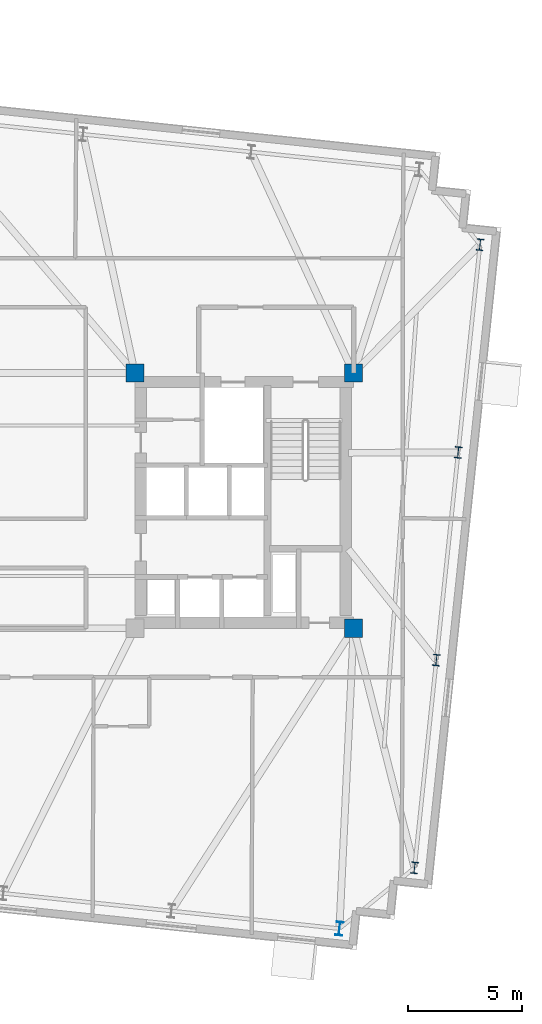
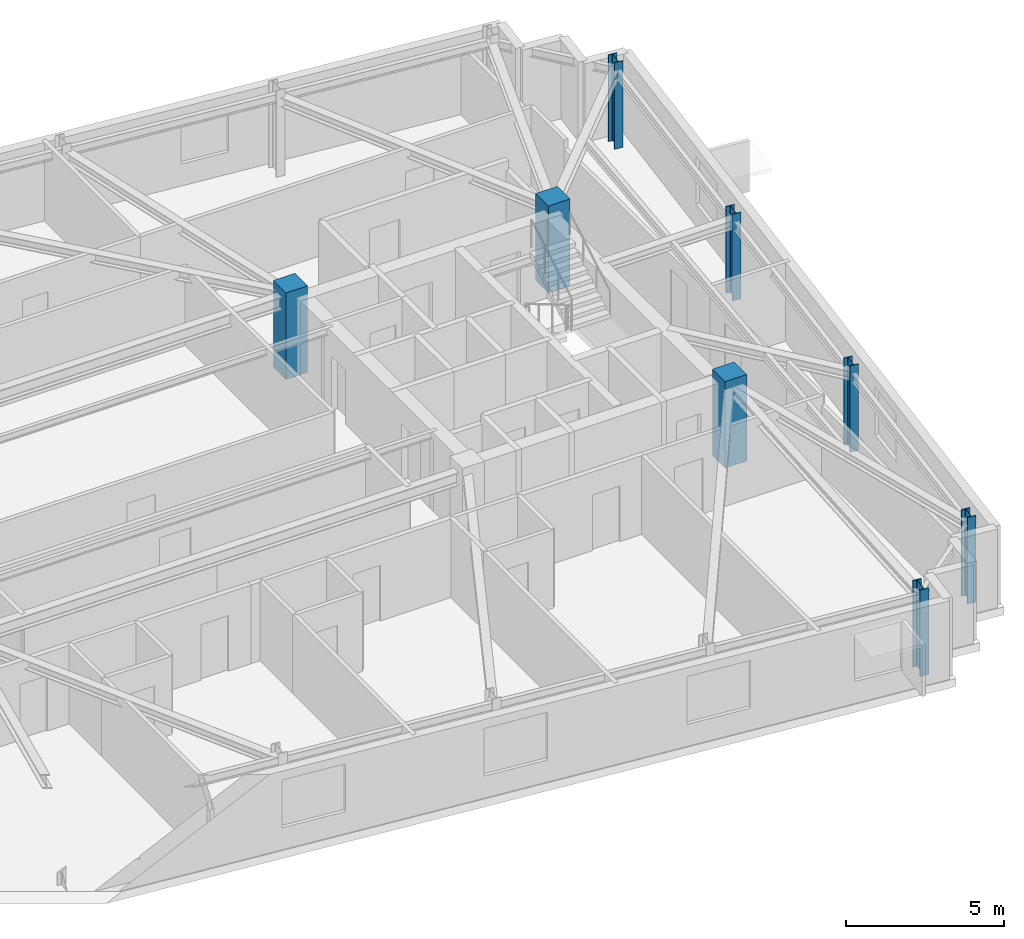
# One storey, part 2 of 11: 8 columns.
"""IFC4 building model written with IfcOpenShell, lengths in metres."""

from ifc_helpers import new_model, si_unit, direction, frame, origin, origin_2d, place, context, subcontext, project, spatial, rectangle, i_section, extrude, material, material_profile, profile_set, type_object, element, save


model = new_model("IFC4")

# Units and contexts
model_context = context("Model", 3, precision=1e-05, world=origin(), true_north=direction((0.0, 1.0)))
body_context = subcontext(model_context, "Body", "Model", "MODEL_VIEW")
ifc_project = project(units=[si_unit("LENGTHUNIT", "METRE"), si_unit("AREAUNIT", "SQUARE_METRE"), si_unit("VOLUMEUNIT", "CUBIC_METRE"), si_unit("PLANEANGLEUNIT", "RADIAN"), si_unit("MASSUNIT", "GRAM", prefix="KILO")], contexts=[model_context])

# Site, building, storey
site_placement = place(None, origin())
site = spatial("IfcSite", under=ifc_project, at=site_placement, CompositionType="ELEMENT")
building_placement = place(site_placement, origin())
building = spatial("IfcBuilding", under=site, at=building_placement, Name="Qobustan Lattice House", CompositionType="ELEMENT")
storey_placement = place(building_placement, frame((0.0, 0.0, 216.5)))
storey = spatial("IfcBuildingStorey", under=building, at=storey_placement, Name="L61", CompositionType="ELEMENT", Elevation=216.5)

# Columns
ifc_material_1 = material(Name="Concrete C50/60", Category="concrete")
ifc_material_profile_1 = material_profile(ifc_material_1, rectangle(XDim=0.800048828125, YDim=0.800048828125, at=origin_2d()), Name="RC800x800")
ifc_profile_set_1 = profile_set([ifc_material_profile_1], Name="Concrete C50/60")
column_type_1 = type_object("IfcColumnType", Name="COL-RC-800", PredefinedType="COLUMN", material=ifc_profile_set_1)
for number, where, z_axis, x_axis, name in (
    (1, (9.199951171875, 5.60009765625, 0.0), (0.0, 0.0, 1.0), (1.0, 0.0, 0.0), "L61 core mega-column CE-NW"),
    (2, (18.800048828125, -5.60009765625, 0.0), (0.0, 0.0, 1.0), (1.0, 0.0, 0.0), "L61 core mega-column CE-SE"),
    (3, (18.800048828125, 5.60009765625, 0.0), (0.0, 0.0, 1.0), (1.0, 0.0, 0.0), "L61 core mega-column CE-NE"),
):
    element("IfcColumn", number, at=place(storey_placement, frame(where, z_axis=z_axis, x_axis=x_axis)), inside=storey, type_object=column_type_1, Name=name, PredefinedType="COLUMN", context=body_context, shape_type="SweptSolid", body=[
        extrude(rectangle(XDim=0.800048828125, YDim=0.800048828125, at=origin_2d()), origin(), (0.0, 0.0, 1.0), 3.35009765625),
    ])
ifc_material_2 = material(Name="Steel S355", Category="steel")
ifc_material_profile_2 = material_profile(ifc_material_2, i_section(OverallWidth=0.300048828125, OverallDepth=0.5, WebThickness=0.014404296875, FlangeThickness=0.028076171875, FilletRadius=0.027099609375, at=origin_2d()), Name="HEB500")
ifc_profile_set_2 = profile_set([ifc_material_profile_2], Name="Steel S355")
column_type_2 = type_object("IfcColumnType", Name="COL-ST-HEB500", PredefinedType="COLUMN", material=ifc_profile_set_2)
for number, where, z_axis, x_axis, name in (
    (4, (21.474365234375, -16.114013671875, 0.0), (0.0, 0.0, 1.0), (0.994521895368, -0.104528463268, 0.0), "L61 B4 perimeter column E1"),
    (5, (22.4326171875, -6.99755859375, 0.0), (0.0, 0.0, 1.0), (0.994521895368, -0.104528463268, 0.0), "L61 B4 perimeter column E2"),
    (6, (23.390869140625, 2.118896484375, 0.0), (0.0, 0.0, 1.0), (0.994521895368, -0.104528463268, 0.0), "L61 B4 perimeter column E3"),
    (7, (24.348876953125, 11.2353515625, 0.0), (0.0, 0.0, 1.0), (0.994521895368, -0.104528463268, 0.0), "L61 B4 perimeter column E4"),
):
    element("IfcColumn", number, at=place(storey_placement, frame(where, z_axis=z_axis, x_axis=x_axis)), inside=storey, type_object=column_type_2, Name=name, PredefinedType="COLUMN", context=body_context, shape_type="SweptSolid", body=[
        extrude(i_section(OverallWidth=0.300048828125, OverallDepth=0.5, WebThickness=0.014404296875, FlangeThickness=0.028076171875, FilletRadius=0.027099609375, at=origin_2d()), origin(), (0.0, 0.0, 1.0), 3.35009765625),
    ])
ifc_material_3 = material(Name="Steel S355", Category="steel")
ifc_material_profile_3 = material_profile(ifc_material_3, i_section(OverallWidth=0.300048828125, OverallDepth=0.60009765625, WebThickness=0.015380859375, FlangeThickness=0.030029296875, FilletRadius=0.027099609375, at=origin_2d()), Name="HEB600")
ifc_profile_set_3 = profile_set([ifc_material_profile_3], Name="Steel S355")
column_type_3 = type_object("IfcColumnType", Name="COL-ST-HEB600", PredefinedType="COLUMN", material=ifc_profile_set_3)
column_placement = place(storey_placement, frame((18.17724609375, -18.783935546875, 0.0), z_axis=(0.0, 0.0, 1.0), x_axis=(0.994521895368, -0.104528463268, 0.0)))
element("IfcColumn", 8, at=column_placement, inside=storey, type_object=column_type_3, Name="L61 B4 perimeter column S7", PredefinedType="COLUMN", context=body_context, shape_type="SweptSolid", body=[
    extrude(i_section(OverallWidth=0.300048828125, OverallDepth=0.60009765625, WebThickness=0.015380859375, FlangeThickness=0.030029296875, FilletRadius=0.027099609375, at=origin_2d()), origin(), (0.0, 0.0, 1.0), 3.35009765625),
])

save(model, "model.ifc")
